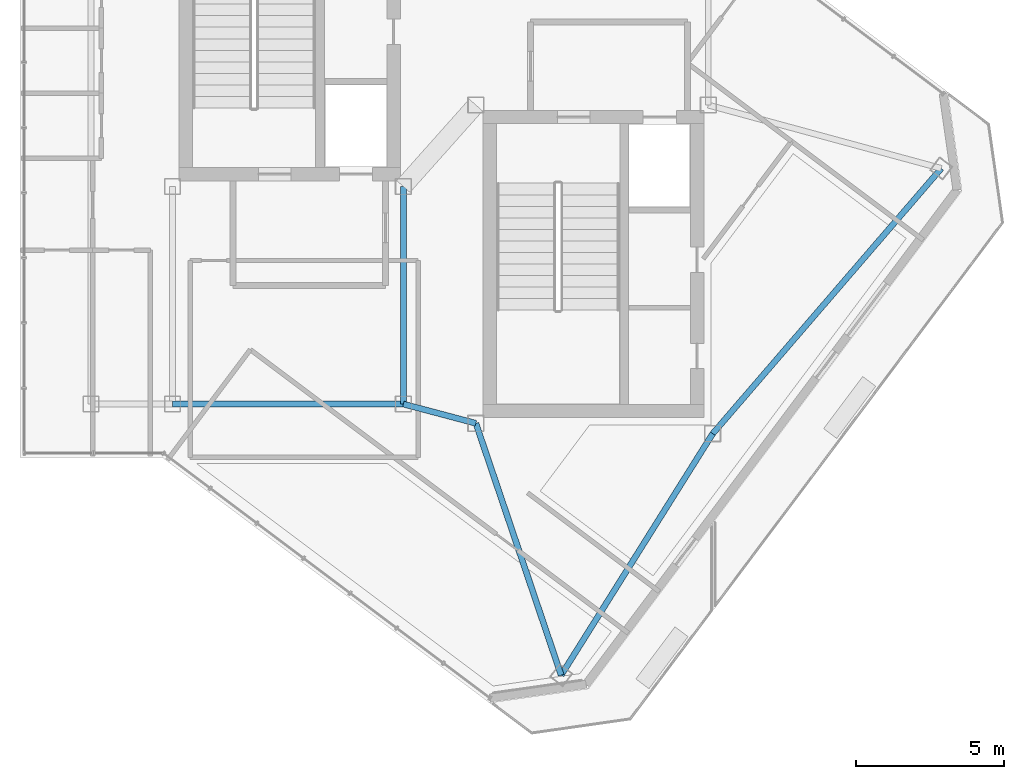
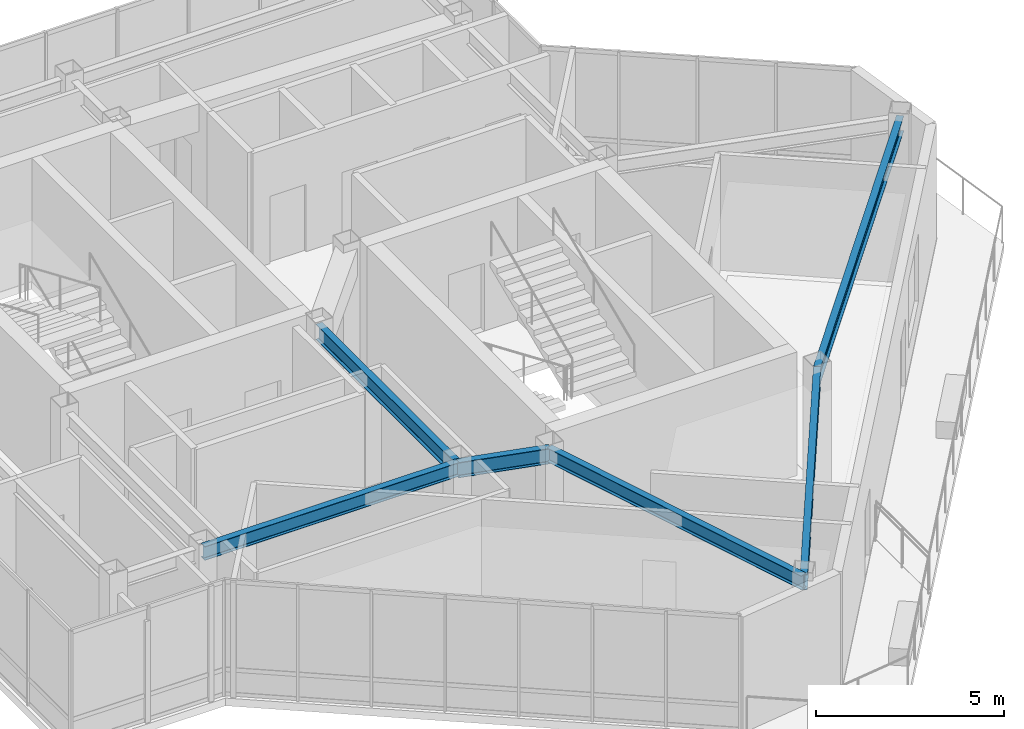
# One storey, part 4 of 23: 6 beams.
"""IFC4 building model written with IfcOpenShell, lengths in metres."""

from ifc_helpers import new_model, si_unit, direction, frame, origin, origin_2d, place, context, subcontext, project, spatial, i_section, extrude, material, material_profile, profile_set, type_object, element, save


model = new_model("IFC4")

# Units and contexts
model_context = context("Model", 3, precision=1e-05, world=origin(), true_north=direction((0.0, 1.0)))
body_context = subcontext(model_context, "Body", "Model", "MODEL_VIEW")
ifc_project = project(units=[si_unit("LENGTHUNIT", "METRE"), si_unit("AREAUNIT", "SQUARE_METRE"), si_unit("VOLUMEUNIT", "CUBIC_METRE"), si_unit("PLANEANGLEUNIT", "RADIAN"), si_unit("MASSUNIT", "GRAM", prefix="KILO")], contexts=[model_context])

# Site, building, storey
site_placement = place(None, origin())
site = spatial("IfcSite", under=ifc_project, at=site_placement, CompositionType="ELEMENT")
building_placement = place(site_placement, origin())
building = spatial("IfcBuilding", under=site, at=building_placement, Name="Hatsunagi Terrace Concourse", CompositionType="ELEMENT")
storey_placement = place(building_placement, frame((0.0, 0.0, 281.949951171875)))
storey = spatial("IfcBuildingStorey", under=building, at=storey_placement, Name="L74", CompositionType="ELEMENT", Elevation=281.949951171875)

# Beams
ifc_material_1 = material(Name="Steel SN490B", Category="steel")
ifc_material_profile_1 = material_profile(ifc_material_1, i_section(OverallWidth=0.199951171875, OverallDepth=0.5, WebThickness=0.010009765625, FlangeThickness=0.01611328125, FilletRadius=0.01611328125, at=origin_2d()), Name="H-500x200x10x16")
ifc_profile_set_1 = profile_set([ifc_material_profile_1], Name="Steel SN490B")
beam_type_1 = type_object("IfcBeamType", Name="CrownFloorGirder_H_500x200", PredefinedType="BEAM", material=ifc_profile_set_1)
beam_1_placement = place(storey_placement, frame((33.35009765625, 25.199951171875, 3.5), z_axis=(0.0, 1.0, 0.0), x_axis=(-1.0, 0.0, 0.0)))
element("IfcBeam", 1, at=beam_1_placement, inside=storey, type_object=beam_type_1, Name="Beam G-07 BM-L74-K2CA", PredefinedType="BEAM", context=body_context, shape_type="SweptSolid", body=[
    extrude(i_section(OverallWidth=0.199951171875, OverallDepth=0.5, WebThickness=0.010009765625, FlangeThickness=0.01611328125, FilletRadius=0.01611328125, at=origin_2d()), origin(), (0.0, 0.0, 1.0), 7.35009765625),
])
beam_2_placement = place(storey_placement, frame((33.35009765625, 25.199951171875, 3.5), z_axis=(0.966569840116, -0.256403479262, 0.0), x_axis=(0.256403479262, 0.966569840116, 0.0)))
element("IfcBeam", 2, at=beam_2_placement, inside=storey, type_object=beam_type_1, Name="Beam G-07 BM-L74-K2CB", PredefinedType="BEAM", context=body_context, shape_type="SweptSolid", body=[
    extrude(i_section(OverallWidth=0.199951171875, OverallDepth=0.5, WebThickness=0.010009765625, FlangeThickness=0.01611328125, FilletRadius=0.01611328125, at=origin_2d()), origin(), (0.0, 0.0, 1.0), 2.53466796875),
])
beam_3_placement = place(storey_placement, frame((38.679931640625, 16.0400390625, 3.5), z_axis=(0.531503907049, 0.847055840421, 0.0), x_axis=(-0.847055840421, 0.531503907049, 0.0)))
element("IfcBeam", 3, at=beam_3_placement, inside=storey, type_object=beam_type_1, Name="Beam G-07 BM-L74-SET-1A", PredefinedType="BEAM", context=body_context, shape_type="SweptSolid", body=[
    extrude(i_section(OverallWidth=0.199951171875, OverallDepth=0.5, WebThickness=0.010009765625, FlangeThickness=0.01611328125, FilletRadius=0.01611328125, at=origin_2d()), origin(), (0.0, 0.0, 1.0), 9.63330078125),
])
beam_4_placement = place(storey_placement, frame((43.800048828125, 24.199951171875, 3.5), z_axis=(0.652739101421, 0.757582777969, 0.0), x_axis=(-0.757582777969, 0.652739101421, 0.0)))
element("IfcBeam", 4, at=beam_4_placement, inside=storey, type_object=beam_type_1, Name="Beam G-07 BM-L74-SET-1B", PredefinedType="BEAM", context=body_context, shape_type="SweptSolid", body=[
    extrude(i_section(OverallWidth=0.199951171875, OverallDepth=0.5, WebThickness=0.010009765625, FlangeThickness=0.01611328125, FilletRadius=0.01611328125, at=origin_2d()), origin(), (0.0, 0.0, 1.0), 11.8271484375),
])
ifc_material_2 = material(Name="Steel SN490B", Category="steel")
ifc_material_profile_2 = material_profile(ifc_material_2, i_section(OverallWidth=0.199951171875, OverallDepth=0.449951171875, WebThickness=0.009033203125, FlangeThickness=0.013916015625, FilletRadius=0.01611328125, at=origin_2d()), Name="H-450x200x9x14")
ifc_profile_set_2 = profile_set([ifc_material_profile_2], Name="Steel SN490B")
beam_type_2 = type_object("IfcBeamType", Name="PerimeterSpandrel_H_450x200", PredefinedType="SPANDREL", material=ifc_profile_set_2)
beam_5_placement = place(storey_placement, frame((25.550048828125, 25.199951171875, 3.525146484375), z_axis=(1.0, 0.0, 0.0), x_axis=(0.0, 1.0, 0.0)))
element("IfcBeam", 5, at=beam_5_placement, inside=storey, type_object=beam_type_2, Name="Beam SP-02 BM-L74-WS-25", PredefinedType="SPANDREL", context=body_context, shape_type="SweptSolid", body=[
    extrude(i_section(OverallWidth=0.199951171875, OverallDepth=0.449951171875, WebThickness=0.009033203125, FlangeThickness=0.013916015625, FilletRadius=0.01611328125, at=origin_2d()), origin(), (0.0, 0.0, 1.0), 7.800048828125),
])
beam_6_placement = place(storey_placement, frame((35.800048828125, 24.550048828125, 3.525146484375), z_axis=(0.320553412271, -0.947230441805, 0.0), x_axis=(0.947230441805, 0.320553412271, 0.0)))
element("IfcBeam", 6, at=beam_6_placement, inside=storey, type_object=beam_type_2, Name="Beam SP-02 BM-L74-SE-SW0", PredefinedType="SPANDREL", context=body_context, shape_type="SweptSolid", body=[
    extrude(i_section(OverallWidth=0.199951171875, OverallDepth=0.449951171875, WebThickness=0.009033203125, FlangeThickness=0.013916015625, FilletRadius=0.01611328125, at=origin_2d()), origin(), (0.0, 0.0, 1.0), 8.984130859375),
])

save(model, "model.ifc")
